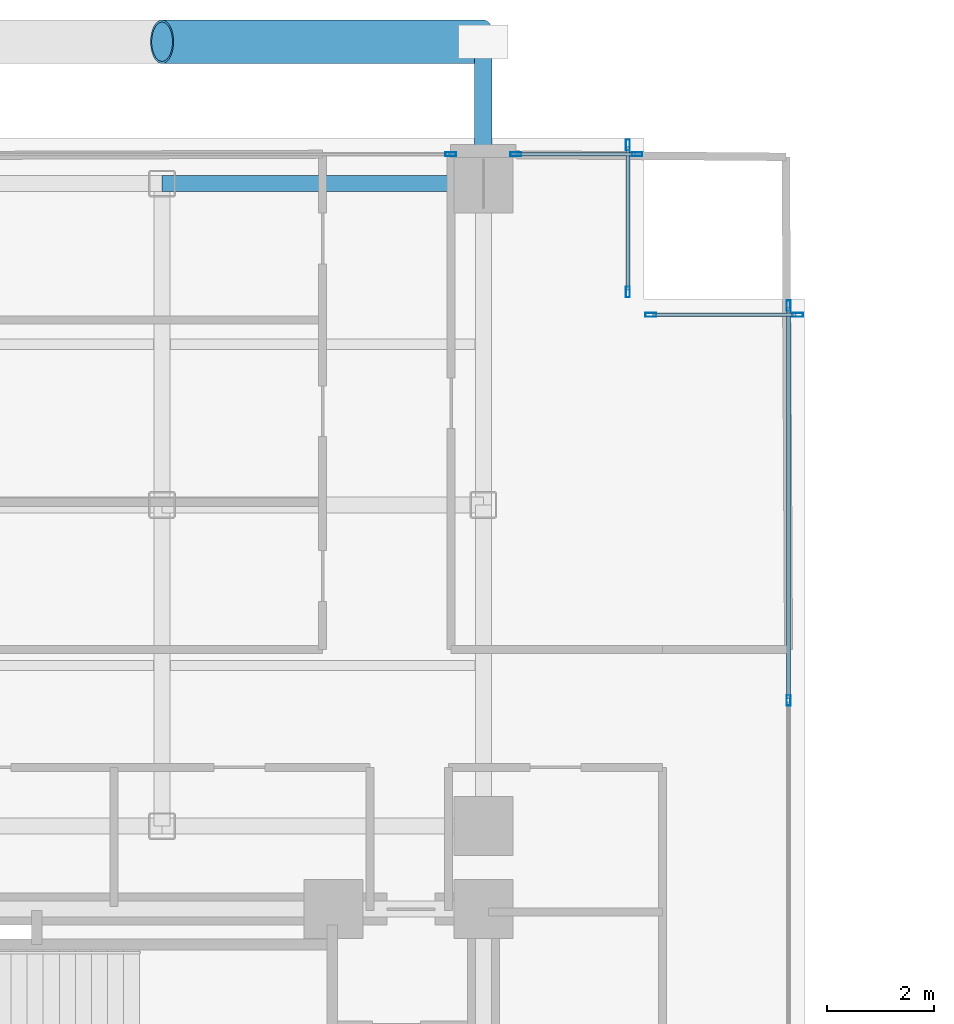
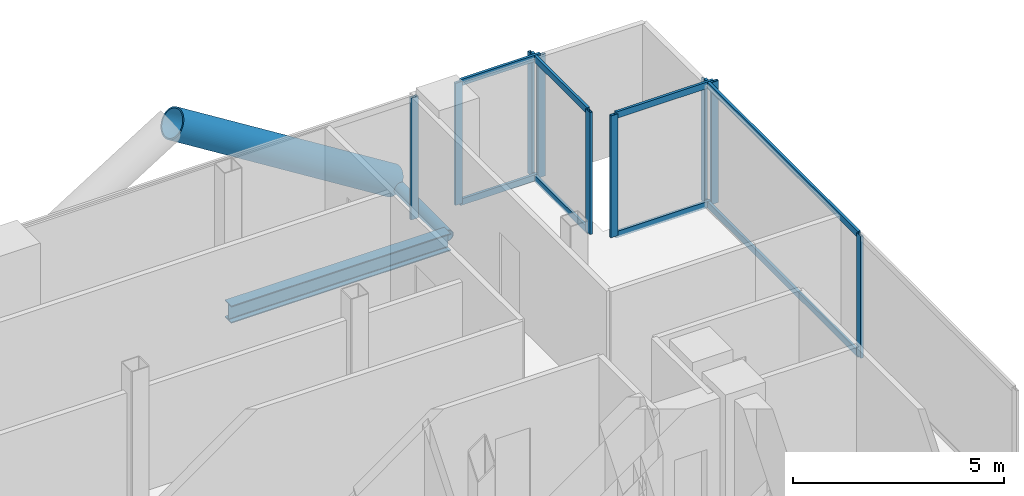
# One storey, part 16 of 24: 19 members, 1 beam, 5 elements without a shape of their own.
"""IFC4 building model written with IfcOpenShell, lengths in metres."""

from ifc_helpers import new_model, si_unit, direction, frame, origin, origin_2d, place, context, subcontext, project, spatial, hollow_rectangle, hollow_circle, i_section, extrude, material, layer, layer_set, material_profile, profile_set, type_object, element, aggregate, save


model = new_model("IFC4")

# Units and contexts
model_context = context("Model", 3, precision=1e-05, world=origin(), true_north=direction((0.0, 1.0)))
body_context = subcontext(model_context, "Body", "Model", "MODEL_VIEW")
ifc_project = project(units=[si_unit("LENGTHUNIT", "METRE"), si_unit("AREAUNIT", "SQUARE_METRE"), si_unit("VOLUMEUNIT", "CUBIC_METRE"), si_unit("PLANEANGLEUNIT", "RADIAN"), si_unit("MASSUNIT", "GRAM", prefix="KILO"), si_unit("THERMODYNAMICTEMPERATUREUNIT", "KELVIN"), si_unit("POWERUNIT", "WATT")], contexts=[model_context])

# Site, building, storey
site_placement = place(None, origin())
site = spatial("IfcSite", under=ifc_project, at=site_placement, CompositionType="ELEMENT")
building_placement = place(site_placement, origin())
building = spatial("IfcBuilding", under=site, at=building_placement, Name="Svarakhadi Broadcast Tower", CompositionType="ELEMENT")
storey_placement = place(building_placement, frame((0.0, 0.0, 156.89990234375)))
storey = spatial("IfcBuildingStorey", under=building, at=storey_placement, Name="L38", CompositionType="ELEMENT", Elevation=156.89990234375)

# Curtain wall, member
ifc_material_1 = material(Name="Anodised Bronze Aluminium AA 6063-T6", Category="aluminium")
ifc_layer = layer(ifc_material_1, 0.199951171875)
ifc_layer_set = layer_set([ifc_layer], Name="Anodised Bronze Aluminium AA 6063-T6")
curtain_wall_type = type_object("IfcCurtainWallType", Name="CW_Sys_03", PredefinedType="NOTDEFINED", material=ifc_layer_set)
curtain_wall_1_placement = place(storey_placement, origin())
curtain_wall_1 = element("IfcCurtainWall", 1, at=curtain_wall_1_placement, inside=storey, type_object=curtain_wall_type, Name="L38 Unitised Facade Curtain Wall 06 Bay 2", PredefinedType="NOTDEFINED")
ifc_material_profile_1 = material_profile(ifc_material_1, hollow_rectangle(XDim=0.074951171875, YDim=0.199951171875, WallThickness=0.005615234375, at=origin_2d()), Name="ALU MULLION 200x75x6")
ifc_profile_set_1 = profile_set([ifc_material_profile_1], Name="Anodised Bronze Aluminium AA 6063-T6")
member_type_1 = type_object("IfcMemberType", Name="CW_Sys_03_Mul", PredefinedType="MULLION", material=ifc_profile_set_1)
member_1_placement = place(storey_placement, frame((17.392578125, 41.699951171875, 0.0), z_axis=(0.0, 0.0, 1.0), x_axis=(0.0, 1.0, 0.0)))
member_1 = element("IfcMember", 2, at=member_1_placement, type_object=member_type_1, Name="CW-03 mullion 2", PredefinedType="MULLION", context=body_context, shape_type="SweptSolid", body=[
    extrude(hollow_rectangle(XDim=0.074951171875, YDim=0.199951171875, WallThickness=0.005615234375, at=origin_2d()), origin(), (0.0, 0.0, 1.0), 3.525146484375),
])
aggregate(curtain_wall_1, [member_1])

# Curtain wall, members
curtain_wall_2_placement = place(storey_placement, origin())
curtain_wall_2 = element("IfcCurtainWall", 3, at=curtain_wall_2_placement, inside=storey, type_object=curtain_wall_type, Name="L38 Unitised Facade Curtain Wall 06 Bay 3", PredefinedType="NOTDEFINED")
member_2_placement = place(storey_placement, frame((18.607421875, 41.699951171875, 0.0), z_axis=(0.0, 0.0, 1.0), x_axis=(0.0, 1.0, 0.0)))
member_2 = element("IfcMember", 4, at=member_2_placement, type_object=member_type_1, Name="CW-03 mullion 1", PredefinedType="MULLION", context=body_context, shape_type="SweptSolid", body=[
    extrude(hollow_rectangle(XDim=0.074951171875, YDim=0.199951171875, WallThickness=0.005615234375, at=origin_2d()), origin(), (0.0, 0.0, 1.0), 3.525146484375),
])
member_3_placement = place(storey_placement, frame((20.87255859375, 41.699951171875, 0.0), z_axis=(0.0, 0.0, 1.0), x_axis=(0.0, 1.0, 0.0)))
member_3 = element("IfcMember", 5, at=member_3_placement, type_object=member_type_1, Name="CW-03 mullion 2", PredefinedType="MULLION", context=body_context, shape_type="SweptSolid", body=[
    extrude(hollow_rectangle(XDim=0.074951171875, YDim=0.199951171875, WallThickness=0.005615234375, at=origin_2d()), origin(), (0.0, 0.0, 1.0), 3.525146484375),
])

curtain_wall_3_placement = place(storey_placement, origin())
curtain_wall_3 = element("IfcCurtainWall", 6, at=curtain_wall_3_placement, inside=storey, type_object=curtain_wall_type, Name="L38 Unitised Facade Curtain Wall 07", PredefinedType="NOTDEFINED")
member_4_placement = place(storey_placement, frame((20.699951171875, 41.87255859375, 0.0), z_axis=(0.0, 0.0, 1.0), x_axis=(1.0, 0.0, 0.0)))
member_4 = element("IfcMember", 7, at=member_4_placement, type_object=member_type_1, Name="CW-03 mullion 1", PredefinedType="MULLION", context=body_context, shape_type="SweptSolid", body=[
    extrude(hollow_rectangle(XDim=0.074951171875, YDim=0.199951171875, WallThickness=0.005615234375, at=origin_2d()), origin(), (0.0, 0.0, 1.0), 3.525146484375),
])
member_5_placement = place(storey_placement, frame((20.699951171875, 39.12744140625, 0.0), z_axis=(0.0, 0.0, 1.0), x_axis=(1.0, 0.0, 0.0)))
member_5 = element("IfcMember", 8, at=member_5_placement, type_object=member_type_1, Name="CW-03 mullion 2", PredefinedType="MULLION", context=body_context, shape_type="SweptSolid", body=[
    extrude(hollow_rectangle(XDim=0.074951171875, YDim=0.199951171875, WallThickness=0.005615234375, at=origin_2d()), origin(), (0.0, 0.0, 1.0), 3.525146484375),
])

curtain_wall_4_placement = place(storey_placement, origin())
curtain_wall_4 = element("IfcCurtainWall", 9, at=curtain_wall_4_placement, inside=storey, type_object=curtain_wall_type, Name="L38 Unitised Facade Curtain Wall 08", PredefinedType="NOTDEFINED")
member_6_placement = place(storey_placement, frame((21.12744140625, 38.699951171875, 0.0), z_axis=(0.0, 0.0, 1.0), x_axis=(0.0, 1.0, 0.0)))
member_6 = element("IfcMember", 10, at=member_6_placement, type_object=member_type_1, Name="CW-03 mullion 1", PredefinedType="MULLION", context=body_context, shape_type="SweptSolid", body=[
    extrude(hollow_rectangle(XDim=0.074951171875, YDim=0.199951171875, WallThickness=0.005615234375, at=origin_2d()), origin(), (0.0, 0.0, 1.0), 3.525146484375),
])
member_7_placement = place(storey_placement, frame((23.87255859375, 38.699951171875, 0.0), z_axis=(0.0, 0.0, 1.0), x_axis=(0.0, 1.0, 0.0)))
member_7 = element("IfcMember", 11, at=member_7_placement, type_object=member_type_1, Name="CW-03 mullion 2", PredefinedType="MULLION", context=body_context, shape_type="SweptSolid", body=[
    extrude(hollow_rectangle(XDim=0.074951171875, YDim=0.199951171875, WallThickness=0.005615234375, at=origin_2d()), origin(), (0.0, 0.0, 1.0), 3.525146484375),
])

curtain_wall_5_placement = place(storey_placement, origin())
curtain_wall_5 = element("IfcCurtainWall", 12, at=curtain_wall_5_placement, inside=storey, type_object=curtain_wall_type, Name="L38 Unitised Facade Curtain Wall 09", PredefinedType="NOTDEFINED")
member_8_placement = place(storey_placement, frame((23.699951171875, 38.87255859375, 0.0), z_axis=(0.0, 0.0, 1.0), x_axis=(1.0, 0.0, 0.0)))
member_8 = element("IfcMember", 13, at=member_8_placement, type_object=member_type_1, Name="CW-03 mullion 1", PredefinedType="MULLION", context=body_context, shape_type="SweptSolid", body=[
    extrude(hollow_rectangle(XDim=0.074951171875, YDim=0.199951171875, WallThickness=0.005615234375, at=origin_2d()), origin(), (0.0, 0.0, 1.0), 3.525146484375),
])
member_9_placement = place(storey_placement, frame((23.699951171875, 31.5, 0.0), z_axis=(0.0, 0.0, 1.0), x_axis=(1.0, 0.0, 0.0)))
member_9 = element("IfcMember", 14, at=member_9_placement, type_object=member_type_1, Name="CW-03 mullion 2", PredefinedType="MULLION", context=body_context, shape_type="SweptSolid", body=[
    extrude(hollow_rectangle(XDim=0.074951171875, YDim=0.199951171875, WallThickness=0.005615234375, at=origin_2d()), origin(), (0.0, 0.0, 1.0), 3.525146484375),
])

# Member
ifc_material_profile_2 = material_profile(ifc_material_1, hollow_rectangle(XDim=0.070068359375, YDim=0.18505859375, WallThickness=0.0048828125, at=origin_2d()), Name="ALU TRANSOM 185x70x5")
ifc_profile_set_2 = profile_set([ifc_material_profile_2], Name="Anodised Bronze Aluminium AA 6063-T6")
member_type_2 = type_object("IfcMemberType", Name="CW_Sys_03_Trn", PredefinedType="USERDEFINED", material=ifc_profile_set_2)
member_10_placement = place(storey_placement, frame((18.64501953125, 41.699951171875, 0.03515625), z_axis=(1.0, 0.0, 0.0), x_axis=(0.0, 1.0, 0.0)))
member_10 = element("IfcMember", 15, at=member_10_placement, type_object=member_type_2, Name="CW-03 transom 1.1", ObjectType="TRANSOM", PredefinedType="USERDEFINED", context=body_context, shape_type="SweptSolid", body=[
    extrude(hollow_rectangle(XDim=0.070068359375, YDim=0.18505859375, WallThickness=0.0048828125, at=origin_2d()), origin(), (0.0, 0.0, 1.0), 2.18994140625),
])

member_11_placement = place(storey_placement, frame((18.64501953125, 41.699951171875, 3.489990234375), z_axis=(1.0, 0.0, 0.0), x_axis=(0.0, 1.0, 0.0)))
member_11 = element("IfcMember", 16, at=member_11_placement, type_object=member_type_2, Name="CW-03 transom 1.2", ObjectType="TRANSOM", PredefinedType="USERDEFINED", context=body_context, shape_type="SweptSolid", body=[
    extrude(hollow_rectangle(XDim=0.070068359375, YDim=0.18505859375, WallThickness=0.0048828125, at=origin_2d()), origin(), (0.0, 0.0, 1.0), 2.18994140625),
])

aggregate(curtain_wall_2, [member_2, member_3, member_10, member_11])

member_12_placement = place(storey_placement, frame((20.699951171875, 41.8349609375, 0.03515625), z_axis=(0.0, -1.0, 0.0), x_axis=(1.0, 0.0, 0.0)))
member_12 = element("IfcMember", 17, at=member_12_placement, type_object=member_type_2, Name="CW-03 transom 1.1", ObjectType="TRANSOM", PredefinedType="USERDEFINED", context=body_context, shape_type="SweptSolid", body=[
    extrude(hollow_rectangle(XDim=0.070068359375, YDim=0.18505859375, WallThickness=0.0048828125, at=origin_2d()), origin(), (0.0, 0.0, 1.0), 2.669921875),
])

member_13_placement = place(storey_placement, frame((20.699951171875, 41.8349609375, 3.489990234375), z_axis=(0.0, -1.0, 0.0), x_axis=(1.0, 0.0, 0.0)))
member_13 = element("IfcMember", 18, at=member_13_placement, type_object=member_type_2, Name="CW-03 transom 1.2", ObjectType="TRANSOM", PredefinedType="USERDEFINED", context=body_context, shape_type="SweptSolid", body=[
    extrude(hollow_rectangle(XDim=0.070068359375, YDim=0.18505859375, WallThickness=0.0048828125, at=origin_2d()), origin(), (0.0, 0.0, 1.0), 2.669921875),
])

aggregate(curtain_wall_3, [member_4, member_5, member_12, member_13])

member_14_placement = place(storey_placement, frame((21.1650390625, 38.699951171875, 0.03515625), z_axis=(1.0, 0.0, 0.0), x_axis=(0.0, 1.0, 0.0)))
member_14 = element("IfcMember", 19, at=member_14_placement, type_object=member_type_2, Name="CW-03 transom 1.1", ObjectType="TRANSOM", PredefinedType="USERDEFINED", context=body_context, shape_type="SweptSolid", body=[
    extrude(hollow_rectangle(XDim=0.070068359375, YDim=0.18505859375, WallThickness=0.0048828125, at=origin_2d()), origin(), (0.0, 0.0, 1.0), 2.669921875),
])

member_15_placement = place(storey_placement, frame((21.1650390625, 38.699951171875, 3.489990234375), z_axis=(1.0, 0.0, 0.0), x_axis=(0.0, 1.0, 0.0)))
member_15 = element("IfcMember", 20, at=member_15_placement, type_object=member_type_2, Name="CW-03 transom 1.2", ObjectType="TRANSOM", PredefinedType="USERDEFINED", context=body_context, shape_type="SweptSolid", body=[
    extrude(hollow_rectangle(XDim=0.070068359375, YDim=0.18505859375, WallThickness=0.0048828125, at=origin_2d()), origin(), (0.0, 0.0, 1.0), 2.669921875),
])

aggregate(curtain_wall_4, [member_6, member_7, member_14, member_15])

member_16_placement = place(storey_placement, frame((23.699951171875, 38.8349609375, 0.03515625), z_axis=(0.0, -1.0, 0.0), x_axis=(1.0, 0.0, 0.0)))
member_16 = element("IfcMember", 21, at=member_16_placement, type_object=member_type_2, Name="CW-03 transom 1.1", ObjectType="TRANSOM", PredefinedType="USERDEFINED", context=body_context, shape_type="SweptSolid", body=[
    extrude(hollow_rectangle(XDim=0.070068359375, YDim=0.18505859375, WallThickness=0.0048828125, at=origin_2d()), origin(), (0.0, 0.0, 1.0), 7.29736328125),
])

member_17_placement = place(storey_placement, frame((23.699951171875, 38.8349609375, 3.489990234375), z_axis=(0.0, -1.0, 0.0), x_axis=(1.0, 0.0, 0.0)))
member_17 = element("IfcMember", 22, at=member_17_placement, type_object=member_type_2, Name="CW-03 transom 1.2", ObjectType="TRANSOM", PredefinedType="USERDEFINED", context=body_context, shape_type="SweptSolid", body=[
    extrude(hollow_rectangle(XDim=0.070068359375, YDim=0.18505859375, WallThickness=0.0048828125, at=origin_2d()), origin(), (0.0, 0.0, 1.0), 7.29736328125),
])

aggregate(curtain_wall_5, [member_8, member_9, member_16, member_17])

# Members
ifc_material_2 = material(Name="Steel S460ML (IS 2062 E450BR)", Category="steel")
ifc_material_profile_3 = material_profile(ifc_material_2, hollow_circle(Radius=0.406494140625, WallThickness=0.0400390625, at=origin_2d()), Name="CHS 813x40")
ifc_profile_set_3 = profile_set([ifc_material_profile_3], Name="Steel S460ML (IS 2062 E450BR)")
member_type_3 = type_object("IfcMemberType", Name="Exo_Brace_CHS813", PredefinedType="BRACE", material=ifc_profile_set_3)
member_18_placement = place(storey_placement, frame((18.0, 43.800048828125, -0.386962890625), z_axis=(-0.847998304005, 0.0, 0.529998940003), x_axis=(0.0, -1.0, 0.0)))
element("IfcMember", 23, at=member_18_placement, inside=storey, type_object=member_type_3, Name="L38 Exposed Bronze Exoskeleton Diagonal N09", PredefinedType="BRACE", context=body_context, shape_type="SweptSolid", body=[
    extrude(hollow_circle(Radius=0.406494140625, WallThickness=0.0400390625, at=origin_2d()), origin(), (0.0, 0.0, 1.0), 7.075439453125),
])
ifc_material_profile_4 = material_profile(ifc_material_2, hollow_circle(Radius=0.161865234375, WallThickness=0.01611328125, at=origin_2d()), Name="CHS 323.9x16")
ifc_profile_set_4 = profile_set([ifc_material_profile_4], Name="Steel S460ML (IS 2062 E450BR)")
member_type_4 = type_object("IfcMemberType", Name="Exo_Radial_Strut_Z2", PredefinedType="STRUT", material=ifc_profile_set_4)
member_19_placement = place(storey_placement, frame((18.0, 43.800048828125, -0.386962890625), z_axis=(0.0, -1.0, 0.0), x_axis=(1.0, 0.0, 0.0)))
element("IfcMember", 24, at=member_19_placement, inside=storey, type_object=member_type_4, Name="L38 Exoskeleton Radial Tie Strut N11", PredefinedType="STRUT", context=body_context, shape_type="SweptSolid", body=[
    extrude(hollow_circle(Radius=0.161865234375, WallThickness=0.01611328125, at=origin_2d()), origin(), (0.0, 0.0, 1.0), 2.650146484375),
])

# Beam
ifc_material_3 = material(Name="Steel S355J2 (IS 2062 E350C)", Category="steel")
ifc_material_profile_5 = material_profile(ifc_material_3, i_section(OverallWidth=0.300048828125, OverallDepth=0.5, WebThickness=0.014404296875, FlangeThickness=0.028076171875, FilletRadius=0.027099609375, at=origin_2d()), Name="WPB 500x300x187")
ifc_profile_set_5 = profile_set([ifc_material_profile_5], Name="Steel S355J2 (IS 2062 E350C)")
beam_type = type_object("IfcBeamType", Name="Girder_WPB500", PredefinedType="USERDEFINED", material=ifc_profile_set_5)
beam_placement = place(storey_placement, frame((12.0, 41.14990234375, -0.474853515625), z_axis=(1.0, 0.0, 0.0), x_axis=(0.0, 1.0, 0.0)))
element("IfcBeam", 25, at=beam_placement, inside=storey, type_object=beam_type, Name="L38 Primary E-W Girder G039", ObjectType="GIRDER", PredefinedType="USERDEFINED", context=body_context, shape_type="SweptSolid", body=[
    extrude(i_section(OverallWidth=0.300048828125, OverallDepth=0.5, WebThickness=0.014404296875, FlangeThickness=0.028076171875, FilletRadius=0.027099609375, at=origin_2d()), origin(), (0.0, 0.0, 1.0), 6.0),
])

save(model, "model.ifc")
